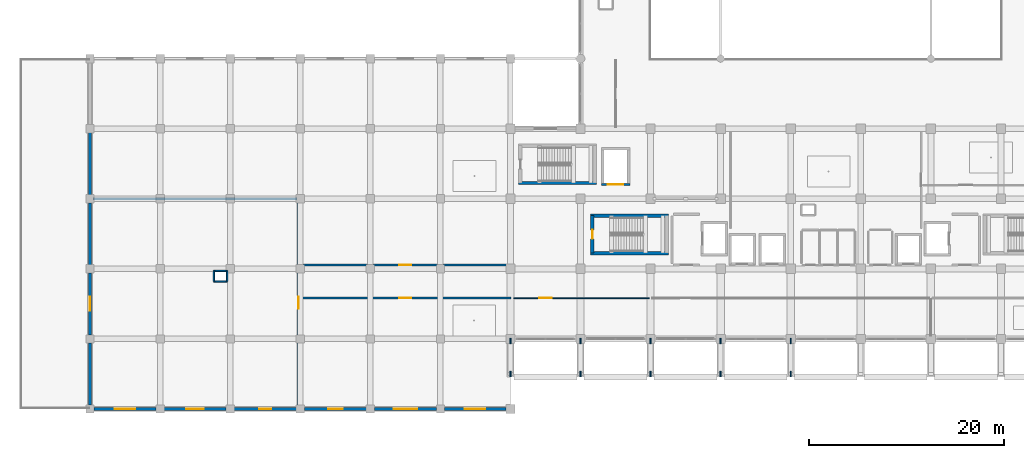
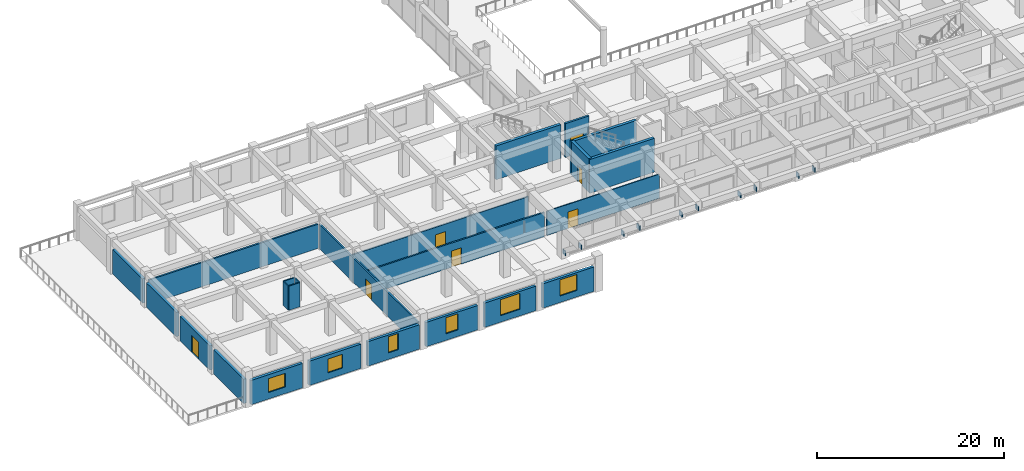
# One storey, part 32 of 54: 24 walls, 10 plates, 7 doors, 6 windows, 13 openings.
"""IFC4 building model written with IfcOpenShell, lengths in metres."""

from ifc_helpers import new_model, si_unit, direction, frame, frame_2d, origin, origin_2d, place, context, subcontext, project, spatial, rectangle, extrude, material, layer, layer_set, type_object, element, fill, save


model = new_model("IFC4")

# Units and contexts
model_context = context("Model", 3, precision=1e-05, world=origin(), true_north=direction((0.0, 1.0)))
body_context = subcontext(model_context, "Body", "Model", "MODEL_VIEW")
ifc_project = project(units=[si_unit("LENGTHUNIT", "METRE"), si_unit("AREAUNIT", "SQUARE_METRE"), si_unit("VOLUMEUNIT", "CUBIC_METRE"), si_unit("PLANEANGLEUNIT", "RADIAN"), si_unit("MASSUNIT", "GRAM", prefix="KILO")], contexts=[model_context])

# Site, building, storey
site_placement = place(None, origin())
site = spatial("IfcSite", under=ifc_project, at=site_placement, CompositionType="ELEMENT")
building_placement = place(site_placement, origin())
building = spatial("IfcBuilding", under=site, at=building_placement, Name="Kazehaya Institute of Natural Sciences", CompositionType="ELEMENT")
storey_placement = place(building_placement, frame((0.0, 0.0, 10.43994140625)))
storey = spatial("IfcBuildingStorey", under=building, at=storey_placement, Name="L02", CompositionType="ELEMENT", Elevation=10.43994140625)

# Plates
ifc_material_1 = material(Name="Structural steel SM490B", Category="steel")
ifc_layer_1 = layer(ifc_material_1, 0.110107421875, Name="Structural steel SM490B", Category="steel")
ifc_layer_set_1 = layer_set([ifc_layer_1], Name="Structural steel SM490B")
plate_type_1 = type_object("IfcPlateType", Name="PL-NODE-01", PredefinedType="SHEET", material=ifc_layer_set_1)
for number, where, z_axis, x_axis, name in (
    (1, (54.60009765625, 13.780029296875, 0.300048828125), (0.0, 0.0, 1.0), (1.0, 0.0, 0.0), "L02 strut lower column gusset plate 1"),
    (2, (54.60009765625, 10.39990234375, 3.159912109375), (0.0, 0.0, 1.0), (1.0, 0.0, 0.0), "L02 strut upper transfer-girder gusset plate 1"),
    (3, (83.39990234375, 13.780029296875, 0.300048828125), (0.0, 0.0, 1.0), (1.0, 0.0, 0.0), "L02 strut lower column gusset plate 5"),
    (4, (83.39990234375, 10.39990234375, 3.159912109375), (0.0, 0.0, 1.0), (1.0, 0.0, 0.0), "L02 strut upper transfer-girder gusset plate 5"),
):
    element("IfcPlate", number, at=place(storey_placement, frame(where, z_axis=z_axis, x_axis=x_axis)), inside=storey, type_object=plate_type_1, Name=name, PredefinedType="SHEET", context=body_context, shape_type="SweptSolid", body=[
        extrude(rectangle(XDim=0.110107421875, YDim=0.60009765625, at=origin_2d()), origin(), (0.0, 0.0, 1.0), 0.60009765625),
    ])
ifc_layer_2 = layer(ifc_material_1, 0.1201171875, Name="Structural steel SM490B", Category="steel")
ifc_layer_set_2 = layer_set([ifc_layer_2], Name="Structural steel SM490B")
plate_type_2 = type_object("IfcPlateType", Name="PL-NODE-02", PredefinedType="SHEET", material=ifc_layer_set_2)
for number, where, z_axis, x_axis, name in (
    (5, (61.800048828125, 13.780029296875, 0.300048828125), (0.0, 0.0, 1.0), (1.0, 0.0, 0.0), "L02 strut lower column gusset plate 2"),
    (6, (61.800048828125, 10.39990234375, 3.159912109375), (0.0, 0.0, 1.0), (1.0, 0.0, 0.0), "L02 strut upper transfer-girder gusset plate 2"),
):
    element("IfcPlate", number, at=place(storey_placement, frame(where, z_axis=z_axis, x_axis=x_axis)), inside=storey, type_object=plate_type_2, Name=name, PredefinedType="SHEET", context=body_context, shape_type="SweptSolid", body=[
        extrude(rectangle(XDim=0.1201171875, YDim=0.60009765625, at=origin_2d()), origin(), (0.0, 0.0, 1.0), 0.60009765625),
    ])
ifc_layer_3 = layer(ifc_material_1, 0.1298828125, Name="Structural steel SM490B", Category="steel")
ifc_layer_set_3 = layer_set([ifc_layer_3], Name="Structural steel SM490B")
plate_type_3 = type_object("IfcPlateType", Name="PL-NODE-03", PredefinedType="SHEET", material=ifc_layer_set_3)
for number, where, z_axis, x_axis, name in (
    (7, (69.0, 13.780029296875, 0.300048828125), (0.0, 0.0, 1.0), (1.0, 0.0, 0.0), "L02 strut lower column gusset plate 3"),
    (8, (69.0, 10.39990234375, 3.159912109375), (0.0, 0.0, 1.0), (1.0, 0.0, 0.0), "L02 strut upper transfer-girder gusset plate 3"),
):
    element("IfcPlate", number, at=place(storey_placement, frame(where, z_axis=z_axis, x_axis=x_axis)), inside=storey, type_object=plate_type_3, Name=name, PredefinedType="SHEET", context=body_context, shape_type="SweptSolid", body=[
        extrude(rectangle(XDim=0.1298828125, YDim=0.60009765625, at=origin_2d()), origin(), (0.0, 0.0, 1.0), 0.60009765625),
    ])
ifc_layer_4 = layer(ifc_material_1, 0.139892578125, Name="Structural steel SM490B", Category="steel")
ifc_layer_set_4 = layer_set([ifc_layer_4], Name="Structural steel SM490B")
plate_type_4 = type_object("IfcPlateType", Name="PL-NODE-04", PredefinedType="SHEET", material=ifc_layer_set_4)
for number, where, z_axis, x_axis, name in (
    (9, (76.199951171875, 13.780029296875, 0.300048828125), (0.0, 0.0, 1.0), (1.0, 0.0, 0.0), "L02 strut lower column gusset plate 4"),
    (10, (76.199951171875, 10.39990234375, 3.159912109375), (0.0, 0.0, 1.0), (1.0, 0.0, 0.0), "L02 strut upper transfer-girder gusset plate 4"),
):
    element("IfcPlate", number, at=place(storey_placement, frame(where, z_axis=z_axis, x_axis=x_axis)), inside=storey, type_object=plate_type_4, Name=name, PredefinedType="SHEET", context=body_context, shape_type="SweptSolid", body=[
        extrude(rectangle(XDim=0.139892578125, YDim=0.60009765625, at=origin_2d()), origin(), (0.0, 0.0, 1.0), 0.60009765625),
    ])

# Walls
ifc_material_2 = material(Name="Concrete Fc42", Category="concrete")
ifc_layer_5 = layer(ifc_material_2, 0.35009765625, Name="Concrete Fc42", Category="concrete")
ifc_layer_set_5 = layer_set([ifc_layer_5], Name="Concrete Fc42")
wall_type_1 = type_object("IfcWallType", Name="WL-CORE-350", PredefinedType="SHEAR", material=ifc_layer_set_5)
for number, where, z_axis, x_axis, name in (
    (11, (70.85498046875, 22.820068359375, 0.0), (0.0, 0.0, 1.0), (-1.0, 0.0, 0.0), "L02 ST-1 core wall S"),
    (12, (62.844970703125, 26.659912109375, 0.0), (0.0, 0.0, 1.0), (1.0, 0.0, 0.0), "L02 ST-1 core wall N"),
):
    element("IfcWall", number, at=place(storey_placement, frame(where, z_axis=z_axis, x_axis=x_axis)), inside=storey, type_object=wall_type_1, Name=name, PredefinedType="SHEAR", context=body_context, shape_type="SweptSolid", body=[
        extrude(rectangle(XDim=8.010009765625, YDim=0.35009765625, at=frame_2d((4.0048828125, 0.0))), origin(), (0.0, 0.0, 1.0), 4.41015625),
    ])

# Wall, opening, door
wall_1_placement = place(storey_placement, frame((63.02001953125, 22.820068359375, 0.0), z_axis=(0.0, 0.0, 1.0), x_axis=(0.0, 1.0, 0.0)))
wall_1 = element("IfcWall", 13, at=wall_1_placement, inside=storey, type_object=wall_type_1, Name="L02 ST-1 core wall W", PredefinedType="SHEAR", context=body_context, shape_type="SweptSolid", body=[
    extrude(rectangle(XDim=3.83984375, YDim=0.35009765625, at=frame_2d((1.919921875, 0.0))), origin(), (0.0, 0.0, 1.0), 4.41015625),
])
opening_1_placement = place(wall_1_placement, frame((1.449951171875, 0.0, 0.0)))
opening_1 = element("IfcOpeningElement", 14, at=opening_1_placement, cuts=wall_1, Name="Opening D-ST-004", PredefinedType="OPENING", context=body_context, shape_type="SweptSolid", body=[
    extrude(rectangle(XDim=0.93994140625, YDim=2.1201171875, at=frame_2d((0.469970703125, 1.06005859375))), frame((0.0, 0.18505859375, 0.0), z_axis=(0.0, -1.0, 0.0), x_axis=(1.0, 0.0, 0.0)), (0.0, 0.0, 1.0), 0.3701171875),
])
ifc_material_3 = material(Name="Fire-rated steel acoustic door", Category="steel")
door_type_1 = type_object("IfcDoorType", Name="DT-FD-05", OperationType="NOTDEFINED", PredefinedType="DOOR", material=ifc_material_3)
door_1_placement = place(opening_1_placement, origin())
door_1 = element("IfcDoor", 15, at=door_1_placement, inside=storey, type_object=door_type_1, Name="L02 ST-1 stair enclosure door D-ST-004", OperationType="SINGLE_SWING_RIGHT", OverallHeight=2.1201171875, OverallWidth=0.93994140625, PredefinedType="DOOR", context=body_context, shape_type="SweptSolid", body=[
    extrude(rectangle(XDim=0.93994140625, YDim=2.1201171875, at=frame_2d((0.469970703125, 1.06005859375))), frame((0.0, 0.02490234375, 0.0), z_axis=(0.0, -1.0, 0.0), x_axis=(1.0, 0.0, 0.0)), (0.0, 0.0, 1.0), 0.050048828125),
])
fill(opening_1, door_1)

# Walls
wall_2_placement = place(storey_placement, frame((63.455078125, 30.02001953125, 0.0), z_axis=(0.0, 0.0, 1.0), x_axis=(-1.0, 0.0, 0.0)))
element("IfcWall", 16, at=wall_2_placement, inside=storey, type_object=wall_type_1, Name="L02 ST-4 core wall S", PredefinedType="SHEAR", context=body_context, shape_type="SweptSolid", body=[
    extrude(rectangle(XDim=8.010009765625, YDim=0.35009765625, at=frame_2d((4.0048828125, 0.0))), origin(), (0.0, 0.0, 1.0), 4.41015625),
])
ifc_material_4 = material(Name="Precast concrete Fc36", Category="concrete")
ifc_layer_6 = layer(ifc_material_4, 0.340087890625, Name="Precast concrete Fc36", Category="concrete")
ifc_layer_set_6 = layer_set([ifc_layer_6], Name="Precast concrete Fc36")
wall_type_2 = type_object("IfcWallType", Name="WL-EXT-340", PredefinedType="SOLIDWALL", material=ifc_layer_set_6)
wall_3_placement = place(storey_placement, frame((11.39990234375, 7.2099609375, 0.0), z_axis=(0.0, 0.0, 1.0), x_axis=(0.0, 1.0, 0.0)))
element("IfcWall", 17, at=wall_3_placement, inside=storey, type_object=wall_type_2, Name="L02 exterior wall EW-L02-0385", PredefinedType="SOLIDWALL", context=body_context, shape_type="SweptSolid", body=[
    extrude(rectangle(XDim=6.380126953125, YDim=0.340087890625, at=frame_2d((3.18994140625, 0.0))), origin(), (0.0, 0.0, 1.0), 3.18017578125),
])

# Wall, opening, door
wall_4_placement = place(storey_placement, frame((11.39990234375, 14.409912109375, 0.0), z_axis=(0.0, 0.0, 1.0), x_axis=(0.0, 1.0, 0.0)))
wall_4 = element("IfcWall", 18, at=wall_4_placement, inside=storey, type_object=wall_type_2, Name="L02 exterior wall EW-L02-0386", PredefinedType="SOLIDWALL", context=body_context, shape_type="SweptSolid", body=[
    extrude(rectangle(XDim=6.380126953125, YDim=0.340087890625, at=frame_2d((3.18994140625, 0.0))), origin(), (0.0, 0.0, 1.0), 3.18017578125),
])
opening_2_placement = place(wall_4_placement, frame((2.465087890625, 0.0, 0.0)))
opening_2 = element("IfcOpeningElement", 19, at=opening_2_placement, cuts=wall_4, Name="Opening D-TER-L02W", PredefinedType="OPENING", context=body_context, shape_type="SweptSolid", body=[
    extrude(rectangle(XDim=1.449951171875, YDim=2.199951171875, at=frame_2d((0.72509765625, 1.10009765625))), frame((0.0, 0.179931640625, 0.0), z_axis=(0.0, -1.0, 0.0), x_axis=(1.0, 0.0, 0.0)), (0.0, 0.0, 1.0), 0.360107421875),
])
ifc_material_5 = material(Name="Insulated bronze-clad steel door", Category="steel")
door_type_2 = type_object("IfcDoorType", Name="DT-TER-1450x2200", OperationType="DOUBLE_DOOR_SINGLE_SWING", PredefinedType="DOOR", material=ifc_material_5)
door_2_placement = place(opening_2_placement, origin())
door_2 = element("IfcDoor", 20, at=door_2_placement, inside=storey, type_object=door_type_2, Name="L02 exterior door D-TER-L02W", OperationType="DOUBLE_DOOR_SINGLE_SWING", OverallHeight=2.199951171875, OverallWidth=1.449951171875, PredefinedType="DOOR", context=body_context, shape_type="SweptSolid", body=[
    extrude(rectangle(XDim=1.449951171875, YDim=2.199951171875, at=frame_2d((0.72509765625, 1.10009765625))), frame((0.0, 0.02490234375, 0.0), z_axis=(0.0, -1.0, 0.0), x_axis=(1.0, 0.0, 0.0)), (0.0, 0.0, 1.0), 0.050048828125),
])
fill(opening_2, door_2)

# Walls
for number, where, z_axis, x_axis, name in (
    (21, (11.39990234375, 21.610107421875, 0.0), (0.0, 0.0, 1.0), (0.0, 1.0, 0.0), "L02 exterior wall EW-L02-0387"),
    (22, (11.39990234375, 28.81005859375, 0.0), (0.0, 0.0, 1.0), (0.0, 1.0, 0.0), "L02 exterior wall EW-L02-0388"),
):
    element("IfcWall", number, at=place(storey_placement, frame(where, z_axis=z_axis, x_axis=x_axis)), inside=storey, type_object=wall_type_2, Name=name, PredefinedType="SOLIDWALL", context=body_context, shape_type="SweptSolid", body=[
        extrude(rectangle(XDim=6.3798828125, YDim=0.340087890625, at=frame_2d((3.18994140625, 0.0))), origin(), (0.0, 0.0, 1.0), 3.18017578125),
    ])

# Wall, opening, window
wall_5_placement = place(storey_placement, frame((54.139892578125, 6.800048828125, 0.0), z_axis=(0.0, 0.0, 1.0), x_axis=(-1.0, 0.0, 0.0)))
wall_5 = element("IfcWall", 23, at=wall_5_placement, inside=storey, type_object=wall_type_2, Name="L02 exterior wall EW-L02-0390", PredefinedType="SOLIDWALL", context=body_context, shape_type="SweptSolid", body=[
    extrude(rectangle(XDim=6.329833984375, YDim=0.340087890625, at=frame_2d((3.1650390625, 0.0))), origin(), (0.0, 0.0, 1.0), 3.18017578125),
])
opening_3_placement = place(wall_5_placement, frame((2.114990234375, 0.0, 0.85009765625)))
opening_3 = element("IfcOpeningElement", 24, at=opening_3_placement, cuts=wall_5, Name="Opening W07", PredefinedType="OPENING", context=body_context, shape_type="SweptSolid", body=[
    extrude(rectangle(XDim=2.10009765625, YDim=2.10009765625, at=frame_2d((1.050048828125, 1.050048828125))), frame((0.0, 0.179931640625, 0.0), z_axis=(0.0, -1.0, 0.0), x_axis=(1.0, 0.0, 0.0)), (0.0, 0.0, 1.0), 0.360107421875),
])
ifc_material_6 = material(Name="Low-E double-glazed aluminium window", Category="aluminium")
window_type_1 = type_object("IfcWindowType", Name="WN-07", PartitioningType="DOUBLE_PANEL_VERTICAL", PredefinedType="WINDOW", material=ifc_material_6)
window_1_placement = place(opening_3_placement, origin())
window_1 = element("IfcWindow", 25, at=window_1_placement, inside=storey, type_object=window_type_1, Name="L02 facade window 0244", OverallHeight=2.10009765625, OverallWidth=2.10009765625, PartitioningType="DOUBLE_PANEL_VERTICAL", PredefinedType="WINDOW", context=body_context, shape_type="SweptSolid", body=[
    extrude(rectangle(XDim=2.10009765625, YDim=2.10009765625, at=frame_2d((1.050048828125, 1.050048828125))), frame((0.0, 0.030029296875, 0.0), z_axis=(0.0, -1.0, 0.0), x_axis=(1.0, 0.0, 0.0)), (0.0, 0.0, 1.0), 0.06005859375),
])
fill(opening_3, window_1)

wall_6_placement = place(storey_placement, frame((46.989990234375, 6.800048828125, 0.0), z_axis=(0.0, 0.0, 1.0), x_axis=(-1.0, 0.0, 0.0)))
wall_6 = element("IfcWall", 26, at=wall_6_placement, inside=storey, type_object=wall_type_2, Name="L02 exterior wall EW-L02-0391", PredefinedType="SOLIDWALL", context=body_context, shape_type="SweptSolid", body=[
    extrude(rectangle(XDim=6.3798828125, YDim=0.340087890625, at=frame_2d((3.18994140625, 0.0))), origin(), (0.0, 0.0, 1.0), 3.18017578125),
])
opening_4_placement = place(wall_6_placement, frame((1.989990234375, 0.0, 0.85009765625)))
opening_4 = element("IfcOpeningElement", 27, at=opening_4_placement, cuts=wall_6, Name="Opening W08", PredefinedType="OPENING", context=body_context, shape_type="SweptSolid", body=[
    extrude(rectangle(XDim=2.39990234375, YDim=2.10009765625, at=frame_2d((1.199951171875, 1.050048828125))), frame((0.0, 0.179931640625, 0.0), z_axis=(0.0, -1.0, 0.0), x_axis=(1.0, 0.0, 0.0)), (0.0, 0.0, 1.0), 0.360107421875),
])
window_type_2 = type_object("IfcWindowType", Name="WN-08", PartitioningType="DOUBLE_PANEL_VERTICAL", PredefinedType="WINDOW", material=ifc_material_6)
window_2_placement = place(opening_4_placement, origin())
window_2 = element("IfcWindow", 28, at=window_2_placement, inside=storey, type_object=window_type_2, Name="L02 facade window 0245", OverallHeight=2.10009765625, OverallWidth=2.39990234375, PartitioningType="DOUBLE_PANEL_VERTICAL", PredefinedType="WINDOW", context=body_context, shape_type="SweptSolid", body=[
    extrude(rectangle(XDim=2.39990234375, YDim=2.10009765625, at=frame_2d((1.199951171875, 1.050048828125))), frame((0.0, 0.030029296875, 0.0), z_axis=(0.0, -1.0, 0.0), x_axis=(1.0, 0.0, 0.0)), (0.0, 0.0, 1.0), 0.06005859375),
])
fill(opening_4, window_2)

wall_7_placement = place(storey_placement, frame((39.7900390625, 6.800048828125, 0.0), z_axis=(0.0, 0.0, 1.0), x_axis=(-1.0, 0.0, 0.0)))
wall_7 = element("IfcWall", 29, at=wall_7_placement, inside=storey, type_object=wall_type_2, Name="L02 exterior wall EW-L02-0392", PredefinedType="SOLIDWALL", context=body_context, shape_type="SweptSolid", body=[
    extrude(rectangle(XDim=6.380126953125, YDim=0.340087890625, at=frame_2d((3.18994140625, 0.0))), origin(), (0.0, 0.0, 1.0), 3.18017578125),
])
opening_5_placement = place(wall_7_placement, frame((2.43994140625, 0.0, 0.85009765625)))
opening_5 = element("IfcOpeningElement", 30, at=opening_5_placement, cuts=wall_7, Name="Opening W09", PredefinedType="OPENING", context=body_context, shape_type="SweptSolid", body=[
    extrude(rectangle(XDim=1.5, YDim=2.10009765625, at=frame_2d((0.75, 1.050048828125))), frame((0.0, 0.179931640625, 0.0), z_axis=(0.0, -1.0, 0.0), x_axis=(1.0, 0.0, 0.0)), (0.0, 0.0, 1.0), 0.360107421875),
])
window_type_3 = type_object("IfcWindowType", Name="WN-09", PartitioningType="SINGLE_PANEL", PredefinedType="WINDOW", material=ifc_material_6)
window_3_placement = place(opening_5_placement, origin())
window_3 = element("IfcWindow", 31, at=window_3_placement, inside=storey, type_object=window_type_3, Name="L02 facade window 0246", OverallHeight=2.10009765625, OverallWidth=1.5, PartitioningType="SINGLE_PANEL", PredefinedType="WINDOW", context=body_context, shape_type="SweptSolid", body=[
    extrude(rectangle(XDim=1.5, YDim=2.10009765625, at=frame_2d((0.75, 1.050048828125))), frame((0.0, 0.030029296875, 0.0), z_axis=(0.0, -1.0, 0.0), x_axis=(1.0, 0.0, 0.0)), (0.0, 0.0, 1.0), 0.06005859375),
])
fill(opening_5, window_3)

wall_8_placement = place(storey_placement, frame((32.590087890625, 6.800048828125, 0.0), z_axis=(0.0, 0.0, 1.0), x_axis=(-1.0, 0.0, 0.0)))
wall_8 = element("IfcWall", 32, at=wall_8_placement, inside=storey, type_object=wall_type_2, Name="L02 exterior wall EW-L02-0393", PredefinedType="SOLIDWALL", context=body_context, shape_type="SweptSolid", body=[
    extrude(rectangle(XDim=6.380126953125, YDim=0.340087890625, at=frame_2d((3.18994140625, 0.0))), origin(), (0.0, 0.0, 1.0), 3.18017578125),
])
opening_6_placement = place(wall_8_placement, frame((2.590087890625, 0.0, 0.85009765625)))
opening_6 = element("IfcOpeningElement", 33, at=opening_6_placement, cuts=wall_8, Name="Opening W10", PredefinedType="OPENING", context=body_context, shape_type="SweptSolid", body=[
    extrude(rectangle(XDim=1.199951171875, YDim=2.10009765625, at=frame_2d((0.60009765625, 1.050048828125))), frame((0.0, 0.179931640625, 0.0), z_axis=(0.0, -1.0, 0.0), x_axis=(1.0, 0.0, 0.0)), (0.0, 0.0, 1.0), 0.360107421875),
])
window_type_4 = type_object("IfcWindowType", Name="WN-10", PartitioningType="SINGLE_PANEL", PredefinedType="WINDOW", material=ifc_material_6)
window_4_placement = place(opening_6_placement, origin())
window_4 = element("IfcWindow", 34, at=window_4_placement, inside=storey, type_object=window_type_4, Name="L02 facade window 0247", OverallHeight=2.10009765625, OverallWidth=1.199951171875, PartitioningType="SINGLE_PANEL", PredefinedType="WINDOW", context=body_context, shape_type="SweptSolid", body=[
    extrude(rectangle(XDim=1.199951171875, YDim=2.10009765625, at=frame_2d((0.60009765625, 1.050048828125))), frame((0.0, 0.030029296875, 0.0), z_axis=(0.0, -1.0, 0.0), x_axis=(1.0, 0.0, 0.0)), (0.0, 0.0, 1.0), 0.06005859375),
])
fill(opening_6, window_4)

wall_9_placement = place(storey_placement, frame((25.389892578125, 6.800048828125, 0.0), z_axis=(0.0, 0.0, 1.0), x_axis=(-1.0, 0.0, 0.0)))
wall_9 = element("IfcWall", 35, at=wall_9_placement, inside=storey, type_object=wall_type_2, Name="L02 exterior wall EW-L02-0394", PredefinedType="SOLIDWALL", context=body_context, shape_type="SweptSolid", body=[
    extrude(rectangle(XDim=6.3798828125, YDim=0.340087890625, at=frame_2d((3.18994140625, 0.0))), origin(), (0.0, 0.0, 1.0), 3.18017578125),
])
opening_7_placement = place(wall_9_placement, frame((2.2900390625, 0.0, 0.85009765625)))
opening_7 = element("IfcOpeningElement", 36, at=opening_7_placement, cuts=wall_9, Name="Opening W11", PredefinedType="OPENING", context=body_context, shape_type="SweptSolid", body=[
    extrude(rectangle(XDim=1.800048828125, YDim=1.800048828125, at=frame_2d((0.89990234375, 0.89990234375))), frame((0.0, 0.179931640625, 0.0), z_axis=(0.0, -1.0, 0.0), x_axis=(1.0, 0.0, 0.0)), (0.0, 0.0, 1.0), 0.360107421875),
])
window_type_5 = type_object("IfcWindowType", Name="WN-11", PartitioningType="DOUBLE_PANEL_VERTICAL", PredefinedType="WINDOW", material=ifc_material_6)
window_5_placement = place(opening_7_placement, origin())
window_5 = element("IfcWindow", 37, at=window_5_placement, inside=storey, type_object=window_type_5, Name="L02 facade window 0248", OverallHeight=1.800048828125, OverallWidth=1.800048828125, PartitioningType="DOUBLE_PANEL_VERTICAL", PredefinedType="WINDOW", context=body_context, shape_type="SweptSolid", body=[
    extrude(rectangle(XDim=1.800048828125, YDim=1.800048828125, at=frame_2d((0.89990234375, 0.89990234375))), frame((0.0, 0.030029296875, 0.0), z_axis=(0.0, -1.0, 0.0), x_axis=(1.0, 0.0, 0.0)), (0.0, 0.0, 1.0), 0.06005859375),
])
fill(opening_7, window_5)

wall_10_placement = place(storey_placement, frame((18.18994140625, 6.800048828125, 0.0), z_axis=(0.0, 0.0, 1.0), x_axis=(-1.0, 0.0, 0.0)))
wall_10 = element("IfcWall", 38, at=wall_10_placement, inside=storey, type_object=wall_type_2, Name="L02 exterior wall EW-L02-0395", PredefinedType="SOLIDWALL", context=body_context, shape_type="SweptSolid", body=[
    extrude(rectangle(XDim=6.3798828125, YDim=0.340087890625, at=frame_2d((3.18994140625, 0.0))), origin(), (0.0, 0.0, 1.0), 3.18017578125),
])
opening_8_placement = place(wall_10_placement, frame((2.139892578125, 0.0, 0.85009765625)))
opening_8 = element("IfcOpeningElement", 39, at=opening_8_placement, cuts=wall_10, Name="Opening W12", PredefinedType="OPENING", context=body_context, shape_type="SweptSolid", body=[
    extrude(rectangle(XDim=2.10009765625, YDim=1.800048828125, at=frame_2d((1.050048828125, 0.89990234375))), frame((0.0, 0.179931640625, 0.0), z_axis=(0.0, -1.0, 0.0), x_axis=(1.0, 0.0, 0.0)), (0.0, 0.0, 1.0), 0.360107421875),
])
window_type_6 = type_object("IfcWindowType", Name="WN-12", PartitioningType="DOUBLE_PANEL_VERTICAL", PredefinedType="WINDOW", material=ifc_material_6)
window_6_placement = place(opening_8_placement, origin())
window_6 = element("IfcWindow", 40, at=window_6_placement, inside=storey, type_object=window_type_6, Name="L02 facade window 0249", OverallHeight=1.800048828125, OverallWidth=2.10009765625, PartitioningType="DOUBLE_PANEL_VERTICAL", PredefinedType="WINDOW", context=body_context, shape_type="SweptSolid", body=[
    extrude(rectangle(XDim=2.10009765625, YDim=1.800048828125, at=frame_2d((1.050048828125, 0.89990234375))), frame((0.0, 0.030029296875, 0.0), z_axis=(0.0, -1.0, 0.0), x_axis=(1.0, 0.0, 0.0)), (0.0, 0.0, 1.0), 0.06005859375),
])
fill(opening_8, window_6)

# Wall, opening, door
ifc_material_7 = material(Name="Glazed office demountable partition")
ifc_layer_7 = layer(ifc_material_7, 0.110107421875, Name="Glazed office demountable partition")
ifc_layer_set_7 = layer_set([ifc_layer_7], Name="Glazed office demountable partition")
wall_type_3 = type_object("IfcWallType", Name="WL-PART-110", PredefinedType="PARTITIONING", material=ifc_layer_set_7)
wall_11_placement = place(storey_placement, frame((54.949951171875, 18.199951171875, 0.0), z_axis=(0.0, 0.0, 1.0), x_axis=(1.0, 0.0, 0.0)))
wall_11 = element("IfcWall", 41, at=wall_11_placement, inside=storey, type_object=wall_type_3, Name="L02 Polymer Materials Laboratory partition IW-L02-0149", PredefinedType="PARTITIONING", context=body_context, shape_type="SweptSolid", body=[
    extrude(rectangle(XDim=13.900146484375, YDim=0.110107421875, at=frame_2d((6.9501953125, 0.0))), origin(), (0.0, 0.0, 1.0), 3.16015625),
])
opening_9_placement = place(wall_11_placement, frame((2.614990234375, 0.0, 0.0)))
opening_9 = element("IfcOpeningElement", 42, at=opening_9_placement, cuts=wall_11, Name="Opening D-L02-0104", PredefinedType="OPENING", context=body_context, shape_type="SweptSolid", body=[
    extrude(rectangle(XDim=1.27001953125, YDim=2.159912109375, at=frame_2d((0.635009765625, 1.080078125))), frame((0.0, 0.06494140625, 0.0), z_axis=(0.0, -1.0, 0.0), x_axis=(1.0, 0.0, 0.0)), (0.0, 0.0, 1.0), 0.130126953125),
])
ifc_material_8 = material(Name="Flush timber and aluminium laboratory door", Category="wood")
door_type_3 = type_object("IfcDoorType", Name="DT-INT-43", OperationType="NOTDEFINED", PredefinedType="DOOR", material=ifc_material_8)
door_3_placement = place(opening_9_placement, origin())
door_3 = element("IfcDoor", 43, at=door_3_placement, inside=storey, type_object=door_type_3, Name="L02 Polymer Materials Laboratory door D-L02-0104", OperationType="SINGLE_SWING_RIGHT", OverallHeight=2.159912109375, OverallWidth=1.27001953125, PredefinedType="DOOR", context=body_context, shape_type="SweptSolid", body=[
    extrude(rectangle(XDim=1.27001953125, YDim=2.159912109375, at=frame_2d((0.635009765625, 1.080078125))), frame((0.0, 0.02490234375, 0.0), z_axis=(0.0, -1.0, 0.0), x_axis=(1.0, 0.0, 0.0)), (0.0, 0.0, 1.0), 0.050048828125),
])
fill(opening_9, door_3)

ifc_material_9 = material(Name="Cleanroom insulated metal partition")
ifc_layer_8 = layer(ifc_material_9, 0.179931640625, Name="Cleanroom insulated metal partition")
ifc_layer_set_8 = layer_set([ifc_layer_8], Name="Cleanroom insulated metal partition")
wall_type_4 = type_object("IfcWallType", Name="WL-PART-180", PredefinedType="PARTITIONING", material=ifc_layer_set_8)
wall_12_placement = place(storey_placement, frame((54.64990234375, 21.60009765625, 0.0), z_axis=(0.0, 0.0, 1.0), x_axis=(-1.0, 0.0, 0.0)))
wall_12 = element("IfcWall", 44, at=wall_12_placement, inside=storey, type_object=wall_type_4, Name="L02 Clean Room FFU Recirculation Plenum partition IW-L02-0160", PredefinedType="PARTITIONING", context=body_context, shape_type="SweptSolid", body=[
    extrude(rectangle(XDim=21.699951171875, YDim=0.179931640625, at=frame_2d((10.85009765625, 0.0))), origin(), (0.0, 0.0, 1.0), 3.16015625),
])
opening_10_placement = place(wall_12_placement, frame((10.239990234375, 0.0, 0.0)))
opening_10 = element("IfcOpeningElement", 45, at=opening_10_placement, cuts=wall_12, Name="Opening D-L02-0111", PredefinedType="OPENING", context=body_context, shape_type="SweptSolid", body=[
    extrude(rectangle(XDim=1.219970703125, YDim=2.179931640625, at=frame_2d((0.60986328125, 1.08984375))), frame((0.0, 0.099853515625, 0.0), z_axis=(0.0, -1.0, 0.0), x_axis=(1.0, 0.0, 0.0)), (0.0, 0.0, 1.0), 0.199951171875),
])
door_type_4 = type_object("IfcDoorType", Name="DT-FD-27", OperationType="NOTDEFINED", PredefinedType="DOOR", material=ifc_material_3)
door_4_placement = place(opening_10_placement, origin())
door_4 = element("IfcDoor", 46, at=door_4_placement, inside=storey, type_object=door_type_4, Name="L02 Clean Room FFU Recirculation Plenum door D-L02-0111", OperationType="SINGLE_SWING_LEFT", OverallHeight=2.179931640625, OverallWidth=1.219970703125, PredefinedType="DOOR", context=body_context, shape_type="SweptSolid", body=[
    extrude(rectangle(XDim=1.219970703125, YDim=2.179931640625, at=frame_2d((0.60986328125, 1.08984375))), frame((0.0, 0.02490234375, 0.0), z_axis=(0.0, -1.0, 0.0), x_axis=(1.0, 0.0, 0.0)), (0.0, 0.0, 1.0), 0.050048828125),
])
fill(opening_10, door_4)

ifc_material_10 = material(Name="Gypsum acoustic lab partition", Category="gypsum")
ifc_layer_9 = layer(ifc_material_10, 0.18994140625, Name="Gypsum acoustic lab partition", Category="gypsum")
ifc_layer_set_9 = layer_set([ifc_layer_9], Name="Gypsum acoustic lab partition")
wall_type_5 = type_object("IfcWallType", Name="WL-PART-190", PredefinedType="PARTITIONING", material=ifc_layer_set_9)
wall_13_placement = place(storey_placement, frame((32.949951171875, 18.199951171875, 0.0), z_axis=(0.0, 0.0, 1.0), x_axis=(1.0, 0.0, 0.0)))
wall_13 = element("IfcWall", 47, at=wall_13_placement, inside=storey, type_object=wall_type_5, Name="L02 Clean Room Gowning and Metrology Suite partition IW-L02-0159", PredefinedType="PARTITIONING", context=body_context, shape_type="SweptSolid", body=[
    extrude(rectangle(XDim=21.699951171875, YDim=0.18994140625, at=frame_2d((10.85009765625, 0.0))), origin(), (0.0, 0.0, 1.0), 3.16015625),
])
opening_11_placement = place(wall_13_placement, frame((10.239990234375, 0.0, 0.0)))
opening_11 = element("IfcOpeningElement", 48, at=opening_11_placement, cuts=wall_13, Name="Opening D-L02-0110", PredefinedType="OPENING", context=body_context, shape_type="SweptSolid", body=[
    extrude(rectangle(XDim=1.219970703125, YDim=2.1201171875, at=frame_2d((0.60986328125, 1.06005859375))), frame((0.0, 0.10498046875, 0.0), z_axis=(0.0, -1.0, 0.0), x_axis=(1.0, 0.0, 0.0)), (0.0, 0.0, 1.0), 0.2099609375),
])
door_type_5 = type_object("IfcDoorType", Name="DT-FD-26", OperationType="NOTDEFINED", PredefinedType="DOOR", material=ifc_material_3)
door_5_placement = place(opening_11_placement, origin())
door_5 = element("IfcDoor", 49, at=door_5_placement, inside=storey, type_object=door_type_5, Name="L02 Clean Room Gowning and Metrology Suite door D-L02-0110", OperationType="SINGLE_SWING_RIGHT", OverallHeight=2.1201171875, OverallWidth=1.219970703125, PredefinedType="DOOR", context=body_context, shape_type="SweptSolid", body=[
    extrude(rectangle(XDim=1.219970703125, YDim=2.1201171875, at=frame_2d((0.60986328125, 1.06005859375))), frame((0.0, 0.02490234375, 0.0), z_axis=(0.0, -1.0, 0.0), x_axis=(1.0, 0.0, 0.0)), (0.0, 0.0, 1.0), 0.050048828125),
])
fill(opening_11, door_5)

# Wall
ifc_material_11 = material(Name="Gypsum fire-rated partition", Category="gypsum")
ifc_layer_10 = layer(ifc_material_11, 0.199951171875, Name="Gypsum fire-rated partition", Category="gypsum")
ifc_layer_set_10 = layer_set([ifc_layer_10], Name="Gypsum fire-rated partition")
wall_type_6 = type_object("IfcWallType", Name="WL-PART-200", PredefinedType="PARTITIONING", material=ifc_layer_set_10)
wall_14_placement = place(storey_placement, frame((11.75, 28.39990234375, 0.0), z_axis=(0.0, 0.0, 1.0), x_axis=(1.0, 0.0, 0.0)))
element("IfcWall", 50, at=wall_14_placement, inside=storey, type_object=wall_type_6, Name="L02 Clean Room ISO Class Seven Suite partition IW-L02-0157", PredefinedType="PARTITIONING", context=body_context, shape_type="SweptSolid", body=[
    extrude(rectangle(XDim=20.89990234375, YDim=0.199951171875, at=frame_2d((10.449951171875, 0.0))), origin(), (0.0, 0.0, 1.0), 3.16015625),
])

# Wall, opening, door
wall_15_placement = place(storey_placement, frame((32.800048828125, 28.25, 0.0), z_axis=(0.0, 0.0, 1.0), x_axis=(0.0, -1.0, 0.0)))
wall_15 = element("IfcWall", 51, at=wall_15_placement, inside=storey, type_object=wall_type_6, Name="L02 Clean Room ISO Class Seven Suite partition IW-L02-0158", PredefinedType="PARTITIONING", context=body_context, shape_type="SweptSolid", body=[
    extrude(rectangle(XDim=21.10009765625, YDim=0.199951171875, at=frame_2d((10.550048828125, 0.0))), origin(), (0.0, 0.0, 1.0), 3.16015625),
])
opening_12_placement = place(wall_15_placement, frame((9.93994140625, 0.0, 0.0)))
opening_12 = element("IfcOpeningElement", 52, at=opening_12_placement, cuts=wall_15, Name="Opening D-L02-0109", PredefinedType="OPENING", context=body_context, shape_type="SweptSolid", body=[
    extrude(rectangle(XDim=1.219970703125, YDim=2.06005859375, at=frame_2d((0.60986328125, 1.030029296875))), frame((0.0, 0.10986328125, 0.0), z_axis=(0.0, -1.0, 0.0), x_axis=(1.0, 0.0, 0.0)), (0.0, 0.0, 1.0), 0.219970703125),
])
door_type_6 = type_object("IfcDoorType", Name="DT-FD-25", OperationType="NOTDEFINED", PredefinedType="DOOR", material=ifc_material_3)
door_6_placement = place(opening_12_placement, origin())
door_6 = element("IfcDoor", 53, at=door_6_placement, inside=storey, type_object=door_type_6, Name="L02 Clean Room ISO Class Seven Suite door D-L02-0109", OperationType="SINGLE_SWING_LEFT", OverallHeight=2.06005859375, OverallWidth=1.219970703125, PredefinedType="DOOR", context=body_context, shape_type="SweptSolid", body=[
    extrude(rectangle(XDim=1.219970703125, YDim=2.06005859375, at=frame_2d((0.60986328125, 1.030029296875))), frame((0.0, 0.02490234375, 0.0), z_axis=(0.0, -1.0, 0.0), x_axis=(1.0, 0.0, 0.0)), (0.0, 0.0, 1.0), 0.050048828125),
])
fill(opening_12, door_6)

# Walls
ifc_material_12 = material(Name="Concrete Fc36", Category="concrete")
ifc_layer_11 = layer(ifc_material_12, 0.14990234375, Name="Concrete Fc36", Category="concrete")
ifc_layer_set_11 = layer_set([ifc_layer_11], Name="Concrete Fc36")
wall_type_7 = type_object("IfcWallType", Name="WL-RISER-150", PredefinedType="PARTITIONING", material=ifc_layer_set_11)
for number, where, z_axis, x_axis, name in (
    (54, (25.485107421875, 19.9150390625, 0.0), (0.0, 0.0, 1.0), (-1.0, 0.0, 0.0), "L02 fume exhaust riser shaft wall 24"),
    (55, (24.114990234375, 20.985107421875, 0.0), (0.0, 0.0, 1.0), (1.0, 0.0, 0.0), "L02 fume exhaust riser shaft wall 24"),
):
    element("IfcWall", number, at=place(storey_placement, frame(where, z_axis=z_axis, x_axis=x_axis)), inside=storey, type_object=wall_type_7, Name=name, PredefinedType="PARTITIONING", context=body_context, shape_type="SweptSolid", body=[
        extrude(rectangle(XDim=1.3701171875, YDim=0.14990234375, at=frame_2d((0.68505859375, 0.0))), origin(), (0.0, 0.0, 1.0), 3.16015625),
    ])
for number, where, z_axis, x_axis, name in (
    (56, (24.114990234375, 19.9150390625, 0.0), (0.0, 0.0, 1.0), (0.0, 1.0, 0.0), "L02 fume exhaust riser shaft wall 24"),
    (57, (25.485107421875, 20.985107421875, 0.0), (0.0, 0.0, 1.0), (0.0, -1.0, 0.0), "L02 fume exhaust riser shaft wall 24"),
):
    element("IfcWall", number, at=place(storey_placement, frame(where, z_axis=z_axis, x_axis=x_axis)), inside=storey, type_object=wall_type_7, Name=name, PredefinedType="PARTITIONING", context=body_context, shape_type="SweptSolid", body=[
        extrude(rectangle(XDim=1.070068359375, YDim=0.14990234375, at=frame_2d((0.53515625, 0.0))), origin(), (0.0, 0.0, 1.0), 3.16015625),
    ])

# Wall, opening, door
ifc_layer_12 = layer(ifc_material_2, 0.25, Name="Concrete Fc42", Category="concrete")
ifc_layer_set_12 = layer_set([ifc_layer_12], Name="Concrete Fc42")
wall_type_8 = type_object("IfcWallType", Name="WL-SHAFT-250", PredefinedType="SHEAR", material=ifc_layer_set_12)
wall_16_placement = place(storey_placement, frame((66.860107421875, 29.864990234375, 0.0), z_axis=(0.0, 0.0, 1.0), x_axis=(-1.0, 0.0, 0.0)))
wall_16 = element("IfcWall", 58, at=wall_16_placement, inside=storey, type_object=wall_type_8, Name="L02 EL06 lift shaft wall south", PredefinedType="SHEAR", context=body_context, shape_type="SweptSolid", body=[
    extrude(rectangle(XDim=2.920166015625, YDim=0.25, at=frame_2d((1.4599609375, 0.0))), origin(), (0.0, 0.0, 1.0), 4.41015625),
])
opening_13_placement = place(wall_16_placement, frame((0.659912109375, 0.0, 0.0)))
opening_13 = element("IfcOpeningElement", 59, at=opening_13_placement, cuts=wall_16, Name="Opening LD-75", PredefinedType="OPENING", context=body_context, shape_type="SweptSolid", body=[
    extrude(rectangle(XDim=1.60009765625, YDim=2.39990234375, at=frame_2d((0.800048828125, 1.199951171875))), frame((0.0, 0.135009765625, 0.0), z_axis=(0.0, -1.0, 0.0), x_axis=(1.0, 0.0, 0.0)), (0.0, 0.0, 1.0), 0.27001953125),
])
ifc_material_13 = material(Name="Heavy-duty goods lift sliding landing door")
door_type_7 = type_object("IfcDoorType", Name="DT-LD-1600x2400", OperationType="SLIDING_TO_LEFT", PredefinedType="DOOR", material=ifc_material_13)
door_7_placement = place(opening_13_placement, origin())
door_7 = element("IfcDoor", 60, at=door_7_placement, inside=storey, type_object=door_type_7, Name="L02 EL06 sliding landing door LD-75", OperationType="SLIDING_TO_LEFT", OverallHeight=2.39990234375, OverallWidth=1.60009765625, PredefinedType="DOOR", context=body_context, shape_type="SweptSolid", body=[
    extrude(rectangle(XDim=1.60009765625, YDim=2.39990234375, at=frame_2d((0.800048828125, 1.199951171875))), frame((0.0, 0.02490234375, 0.0), z_axis=(0.0, -1.0, 0.0), x_axis=(1.0, 0.0, 0.0)), (0.0, 0.0, 1.0), 0.050048828125),
])
fill(opening_13, door_7)

save(model, "model.ifc")
